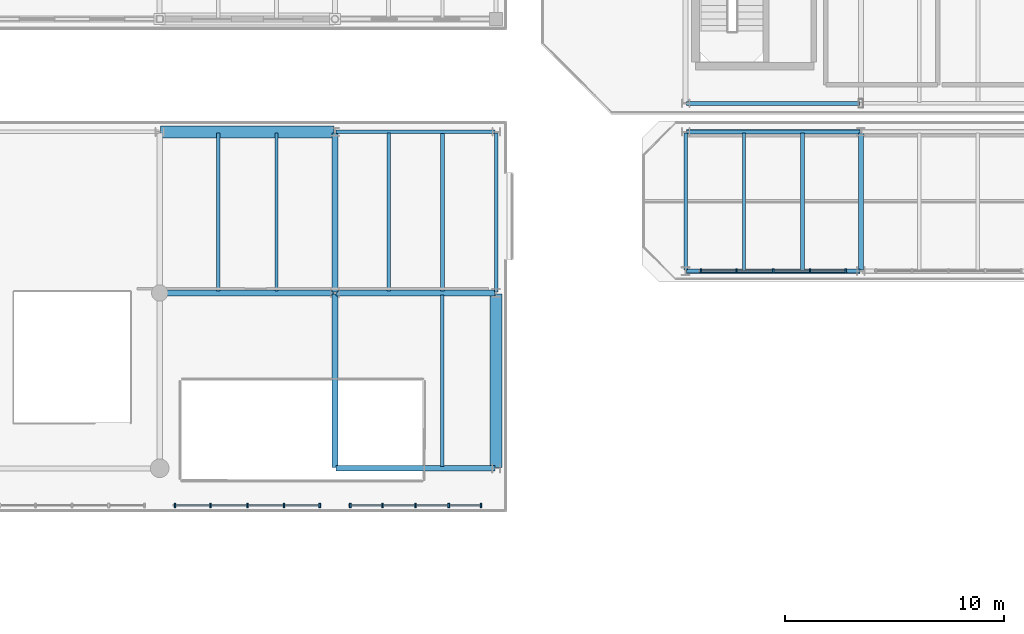
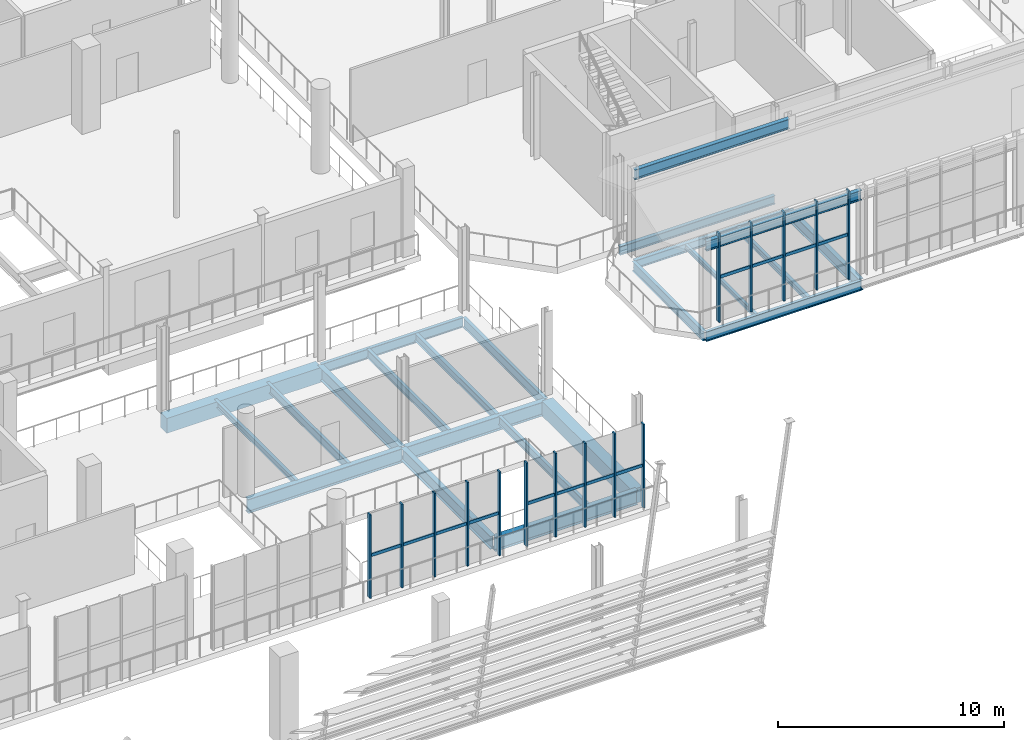
# One storey, part 32 of 93: 27 members, 23 beams, 3 elements without a shape of their own.
"""IFC4 building model written with IfcOpenShell, lengths in metres."""

import ifcopenshell
import ifcopenshell.guid

model = None  # the IFC model being written
_history = None  # IfcOwnerHistory: only IFC2X3 demands one
_inside = {}  # id of a spatial element -> (the spatial element, [elements in it])
_under = {}  # id of a project, library or spatial element -> (it, [spatial elements below it])
_declared = {}  # id of a project -> (the project, [libraries it declares])
_typed = {}  # id of a type object -> (the type object, [elements of that type])
_made_of = {}  # id of a material, layer set ... -> (it, [elements and type objects made of it])


def new_model(schema):
    """Start an empty IFC model of exactly this schema.

    Asked for "IFC4X3", IfcOpenShell would pick the latest addendum, in which some entities
    have other attributes; the version numbers below select the first issue.
    IFC2X3 requires an IfcOwnerHistory on every rooted entity: one is made here for all.
    """
    global model, _history
    if schema == "IFC4X3":
        model = ifcopenshell.file(schema_version=(4, 3, 0, 0))
    else:
        model = ifcopenshell.file(schema=schema)
    _inside.clear()
    _under.clear()
    _declared.clear()
    _typed.clear()
    _made_of.clear()
    _history = None
    if model.schema == "IFC2X3":
        org = make("IfcOrganization", Name="unknown")
        user = make(
            "IfcPersonAndOrganization",
            ThePerson=make("IfcPerson", FamilyName="unknown"),
            TheOrganization=org,
        )
        app = make(
            "IfcApplication",
            ApplicationDeveloper=org,
            Version="unknown",
            ApplicationFullName="unknown",
            ApplicationIdentifier="unknown",
        )
        _history = make(
            "IfcOwnerHistory",
            OwningUser=user,
            OwningApplication=app,
            ChangeAction="ADDED",
            CreationDate=0,
        )
    return model


def make(cls, **values):
    """One entity of the class cls with the attributes given. An attribute that is None is left unset."""
    return model.create_entity(
        cls, **{name: value for name, value in values.items() if value is not None}
    )


def rooted(cls, **values):
    """An entity with a GlobalId (a new one), such as an element, a storey or a relation."""
    return make(cls, GlobalId=ifcopenshell.guid.new(), OwnerHistory=_history, **values)


def si_unit(unit_type, name, prefix=None):
    """IfcSIUnit, for example si_unit("LENGTHUNIT", "METRE", prefix="MILLI")."""
    return make("IfcSIUnit", UnitType=unit_type, Prefix=prefix, Name=name)


def assignment(units):
    """IfcUnitAssignment: the units of a project."""
    return None if units is None else make("IfcUnitAssignment", Units=units)


def point(xyz):
    """IfcCartesianPoint."""
    return None if xyz is None else make("IfcCartesianPoint", Coordinates=xyz)


def direction(xyz):
    """IfcDirection."""
    return None if xyz is None else make("IfcDirection", DirectionRatios=xyz)


def frame(location, z_axis=None, x_axis=None):
    """IfcAxis2Placement3D, a coordinate frame: its origin and axes. An axis left out is left unset."""
    return make(
        "IfcAxis2Placement3D",
        Location=point(location),
        Axis=direction(z_axis),
        RefDirection=direction(x_axis),
    )


def frame_2d(location, x_axis=None):
    """IfcAxis2Placement2D, a coordinate frame in the plane: its origin and x axis."""
    return make(
        "IfcAxis2Placement2D", Location=point(location), RefDirection=direction(x_axis)
    )


def origin():
    """The frame at (0, 0, 0) with its axes left unset."""
    return frame((0.0, 0.0, 0.0))


def origin_2d():
    """The frame at (0, 0) in the plane with its x axis left unset."""
    return frame_2d((0.0, 0.0))


def place(relative_to, where):
    """IfcLocalPlacement: puts the frame where relative to a parent placement (None: the world)."""
    return make(
        "IfcLocalPlacement", PlacementRelTo=relative_to, RelativePlacement=where
    )


def context(
    kind, dimensions, precision=None, world=None, true_north=None, identifier=None
):
    """IfcGeometricRepresentationContext, for example the 3D "Model" context."""
    return make(
        "IfcGeometricRepresentationContext",
        ContextIdentifier=identifier,
        ContextType=kind,
        CoordinateSpaceDimension=dimensions,
        Precision=precision,
        WorldCoordinateSystem=world,
        TrueNorth=true_north,
    )


def subcontext(parent, identifier, kind, view, scale=None):
    """IfcGeometricRepresentationSubContext, for example "Body" below "Model"."""
    return make(
        "IfcGeometricRepresentationSubContext",
        ContextIdentifier=identifier,
        ContextType=kind,
        ParentContext=parent,
        TargetScale=scale,
        TargetView=view,
    )


def project(units=None, contexts=None):
    """IfcProject with its units and contexts."""
    return rooted(
        "IfcProject",
        Name="project",
        RepresentationContexts=contexts,
        UnitsInContext=assignment(units),
    )


def spatial(cls, under=None, at=None, **own):
    """A site, building, storey or space (cls), placed at a placement, below another one or the project."""
    s = rooted(cls, ObjectPlacement=at, **own)
    if under is not None:
        _under.setdefault(under.id(), (under, []))[1].append(s)
    return s


def profile(cls, at=None, kind="AREA", **sizes):
    """A parametric profile (cls). Its sizes go by their IFC names, for example OverallWidth=200.0."""
    return make(cls, ProfileType=kind, Position=at, **sizes)


def rectangle(**sizes):
    """IfcRectangleProfileDef."""
    return profile("IfcRectangleProfileDef", **sizes)


def i_section(**sizes):
    """IfcIShapeProfileDef."""
    return profile("IfcIShapeProfileDef", **sizes)


def extrude(swept, where, along, depth):
    """IfcExtrudedAreaSolid: the profile swept, set in the frame where, extruded along a direction by depth."""
    return make(
        "IfcExtrudedAreaSolid",
        SweptArea=swept,
        Position=where,
        ExtrudedDirection=direction(along),
        Depth=depth,
    )


def shape(context_of_items, identifier, shape_type, items):
    """IfcShapeRepresentation: the items that make up one representation, for example the "Body"."""
    return make(
        "IfcShapeRepresentation",
        ContextOfItems=context_of_items,
        RepresentationIdentifier=identifier,
        RepresentationType=shape_type,
        Items=items,
    )


def material(Name=None, Category=None):
    """IfcMaterial."""
    return make("IfcMaterial", Name=Name, Category=Category)


def material_profile(
    of_material, cross_section, Name=None, Category=None, Priority=None
):
    """IfcMaterialProfile: a cross section and its material."""
    return make(
        "IfcMaterialProfile",
        Name=Name,
        Material=of_material,
        Profile=cross_section,
        Priority=Priority,
        Category=Category,
    )


def profile_set(profiles, Name=None, composite=None):
    """IfcMaterialProfileSet."""
    return make(
        "IfcMaterialProfileSet",
        Name=Name,
        MaterialProfiles=profiles,
        CompositeProfile=composite,
    )


def made_of(thing, what):
    """Note that an element or type object is made of a material, layer set ...; save() writes the relation."""
    if what is not None:
        _made_of.setdefault(what.id(), (what, []))[1].append(thing)
    return thing


def type_object(cls, material=None, **own):
    """A type object (cls), such as IfcWallType, which elements share."""
    return made_of(rooted(cls, **own), material)


def element(
    cls,
    number,
    at=None,
    inside=None,
    cuts=None,
    type_object=None,
    material=None,
    context=None,
    identifier="Body",
    shape_type=None,
    held_by="IfcProductDefinitionShape",
    body=None,
    shapes=None,
    **own,
):
    """One element of the class cls, such as IfcWall. Its Tag is "e" and its number.

    at: its placement. inside: the storey or other place that contains it. cuts: it is an
    opening in that element (IfcRelVoidsElement). A single representation is given by context,
    identifier, shape_type and body (its items); several are given by shapes. held_by: the class
    of the entity that holds the representations. save() writes the other relations.
    """
    e = rooted(cls, Tag="e%d" % number, ObjectPlacement=at, **own)
    if body is not None:
        shapes = [shape(context, identifier, shape_type, body)]
    if shapes is not None:
        e.Representation = make(held_by, Representations=shapes)
    if inside is not None:
        _inside.setdefault(inside.id(), (inside, []))[1].append(e)
    if cuts is not None:
        rooted(
            "IfcRelVoidsElement", RelatingBuildingElement=cuts, RelatedOpeningElement=e
        )
    if type_object is not None:
        _typed.setdefault(type_object.id(), (type_object, []))[1].append(e)
    return made_of(e, material)


def aggregate(whole, parts):
    """IfcRelAggregates: a whole, such as a stair, and the parts it consists of."""
    return rooted("IfcRelAggregates", RelatingObject=whole, RelatedObjects=parts)


def save(model, path):
    """Write the relations noted so far, then the file.

    IfcRelAggregates (storeys below a building ...), IfcRelContainedInSpatialStructure (elements
    in a storey), IfcRelDefinesByType, IfcRelAssociatesMaterial and IfcRelDeclares: one each for
    every whole, place, type object, material and project.
    """
    for whole, parts in _under.values():
        aggregate(whole, parts)
    for where, things in _inside.values():
        rooted(
            "IfcRelContainedInSpatialStructure",
            RelatedElements=things,
            RelatingStructure=where,
        )
    for kind, things in _typed.values():
        rooted("IfcRelDefinesByType", RelatedObjects=things, RelatingType=kind)
    for what, things in _made_of.values():
        rooted("IfcRelAssociatesMaterial", RelatedObjects=things, RelatingMaterial=what)
    for by, libraries in _declared.values():
        rooted("IfcRelDeclares", RelatingContext=by, RelatedDefinitions=libraries)
    model.write(path)


model = new_model("IFC4")

# Units and contexts
model_context = context("Model", 3, precision=1e-05, world=origin(), true_north=direction((0.0, 1.0)))
body_context = subcontext(model_context, "Body", "Model", "MODEL_VIEW")
ifc_project = project(units=[si_unit("LENGTHUNIT", "METRE"), si_unit("AREAUNIT", "SQUARE_METRE"), si_unit("VOLUMEUNIT", "CUBIC_METRE"), si_unit("PLANEANGLEUNIT", "RADIAN"), si_unit("MASSUNIT", "GRAM", prefix="KILO")], contexts=[model_context])

# Site, building, storey
site_placement = place(None, origin())
site = spatial("IfcSite", under=ifc_project, at=site_placement, CompositionType="ELEMENT")
building_placement = place(site_placement, origin())
building = spatial("IfcBuilding", under=site, at=building_placement, Name="Brisemont Oceanarium", CompositionType="ELEMENT")
storey_placement = place(building_placement, frame((0.0, 0.0, 5.39990234375)))
storey = spatial("IfcBuildingStorey", under=building, at=storey_placement, Name="L01", CompositionType="ELEMENT", Elevation=5.39990234375)

# Beams
ifc_material_1 = material(Name="Concrete C40/50", Category="concrete")
ifc_material_profile_1 = material_profile(ifc_material_1, rectangle(XDim=0.550048828125, YDim=0.800048828125, at=origin_2d()), Name="RC-BM-550X800")
ifc_profile_set_1 = profile_set([ifc_material_profile_1], Name="Concrete C40/50")
beam_type_1 = type_object("IfcBeamType", Name="BM-RC550X800", PredefinedType="SPANDREL", material=ifc_profile_set_1)
for number, where, z_axis, x_axis, name in (
    (1, (40.0400390625, 31.35009765625, -0.699951171875), (1.0, 0.0, 0.0), (0.0, 1.0, 0.0), "V2 L01 EW girder"),
    (2, (55.35009765625, 16.0400390625, -0.699951171875), (0.0, 1.0, 0.0), (-1.0, 0.0, 0.0), "V2 L01 NS girder"),
):
    element("IfcBeam", number, at=place(storey_placement, frame(where, z_axis=z_axis, x_axis=x_axis)), inside=storey, type_object=beam_type_1, Name=name, PredefinedType="SPANDREL", context=body_context, shape_type="SweptSolid", body=[
        extrude(rectangle(XDim=0.550048828125, YDim=0.800048828125, at=origin_2d()), origin(), (0.0, 0.0, 1.0), 7.919921875),
    ])
ifc_material_2 = material(Name="Structural Steel ASTM A992 Gr.50", Category="steel")
ifc_material_profile_2 = material_profile(ifc_material_2, i_section(OverallWidth=0.14599609375, OverallDepth=0.259033203125, WebThickness=0.006103515625, FlangeThickness=0.009033203125, FilletRadius=0.008056640625, at=origin_2d()), Name="W10X22")
ifc_profile_set_2 = profile_set([ifc_material_profile_2], Name="Structural Steel ASTM A992 Gr.50")
beam_type_2 = type_object("IfcBeamType", Name="BM-W10X22", PredefinedType="LINTEL", material=ifc_profile_set_2)
beam_1_placement = place(storey_placement, frame((66.666748046875, 25.0400390625, -0.429443359375), z_axis=(0.0, 1.0, 0.0), x_axis=(-1.0, 0.0, 0.0)))
element("IfcBeam", 3, at=beam_1_placement, inside=storey, type_object=beam_type_2, Name="V1P L01 secondary floor beam", PredefinedType="LINTEL", context=body_context, shape_type="SweptSolid", body=[
    extrude(i_section(OverallWidth=0.14599609375, OverallDepth=0.259033203125, WebThickness=0.006103515625, FlangeThickness=0.009033203125, FilletRadius=0.008056640625, at=origin_2d()), origin(), (0.0, 0.0, 1.0), 6.27001953125),
])
ifc_material_3 = material(Name="Structural Steel ASTM A992 Gr.50", Category="steel")
ifc_material_profile_3 = material_profile(ifc_material_3, i_section(OverallWidth=0.1650390625, OverallDepth=0.31005859375, WebThickness=0.005859375, FlangeThickness=0.009765625, FilletRadius=0.008056640625, at=origin_2d()), Name="W12X26")
ifc_profile_set_3 = profile_set([ifc_material_profile_3], Name="Structural Steel ASTM A992 Gr.50")
beam_type_3 = type_object("IfcBeamType", Name="BM-W12X26", PredefinedType="JOIST", material=ifc_profile_set_3)
beam_2_placement = place(storey_placement, frame((69.333251953125, 25.0400390625, -0.454833984375), z_axis=(0.0, 1.0, 0.0), x_axis=(-1.0, 0.0, 0.0)))
element("IfcBeam", 4, at=beam_2_placement, inside=storey, type_object=beam_type_3, Name="V1P L01 secondary floor beam", PredefinedType="JOIST", context=body_context, shape_type="SweptSolid", body=[
    extrude(i_section(OverallWidth=0.1650390625, OverallDepth=0.31005859375, WebThickness=0.005859375, FlangeThickness=0.009765625, FilletRadius=0.008056640625, at=origin_2d()), origin(), (0.0, 0.0, 1.0), 6.27001953125),
])
beam_3_placement = place(storey_placement, frame((42.666748046875, 24.090087890625, -0.454833984375), z_axis=(0.0, 1.0, 0.0), x_axis=(-1.0, 0.0, 0.0)))
element("IfcBeam", 5, at=beam_3_placement, inside=storey, type_object=beam_type_3, Name="V2 L01 secondary floor beam", PredefinedType="JOIST", context=body_context, shape_type="SweptSolid", body=[
    extrude(i_section(OverallWidth=0.1650390625, OverallDepth=0.31005859375, WebThickness=0.005859375, FlangeThickness=0.009765625, FilletRadius=0.008056640625, at=origin_2d()), origin(), (0.0, 0.0, 1.0), 7.219970703125),
])
ifc_material_4 = material(Name="Structural Steel ASTM A992 Gr.50", Category="steel")
ifc_material_profile_4 = material_profile(ifc_material_4, i_section(OverallWidth=0.177978515625, OverallDepth=0.404052734375, WebThickness=0.007568359375, FlangeThickness=0.010986328125, FilletRadius=0.010009765625, at=origin_2d()), Name="W16X36")
ifc_profile_set_4 = profile_set([ifc_material_profile_4], Name="Structural Steel ASTM A992 Gr.50")
beam_type_4 = type_object("IfcBeamType", Name="BM-W16X36", PredefinedType="JOIST", material=ifc_profile_set_4)
beam_4_placement = place(storey_placement, frame((52.89990234375, 24.090087890625, -0.501953125), z_axis=(0.0, 1.0, 0.0), x_axis=(-1.0, 0.0, 0.0)))
element("IfcBeam", 6, at=beam_4_placement, inside=storey, type_object=beam_type_4, Name="V2 L01 secondary floor beam", PredefinedType="JOIST", context=body_context, shape_type="SweptSolid", body=[
    extrude(i_section(OverallWidth=0.177978515625, OverallDepth=0.404052734375, WebThickness=0.007568359375, FlangeThickness=0.010986328125, FilletRadius=0.010009765625, at=origin_2d()), origin(), (0.0, 0.0, 1.0), 7.219970703125),
])
ifc_material_5 = material(Name="Structural Steel ASTM A992 Gr.50", Category="steel")
ifc_material_profile_5 = material_profile(ifc_material_5, i_section(OverallWidth=0.153076171875, OverallDepth=0.455078125, WebThickness=0.008056640625, FlangeThickness=0.01318359375, FilletRadius=0.010986328125, at=origin_2d()), Name="W18X40")
ifc_profile_set_5 = profile_set([ifc_material_profile_5], Name="Structural Steel ASTM A992 Gr.50")
beam_type_5 = type_object("IfcBeamType", Name="BM-W18X40", PredefinedType="JOIST", material=ifc_profile_set_5)
beam_5_placement = place(storey_placement, frame((45.333251953125, 24.090087890625, -0.52734375), z_axis=(0.0, 1.0, 0.0), x_axis=(-1.0, 0.0, 0.0)))
element("IfcBeam", 7, at=beam_5_placement, inside=storey, type_object=beam_type_5, Name="V2 L01 secondary floor beam", PredefinedType="JOIST", context=body_context, shape_type="SweptSolid", body=[
    extrude(i_section(OverallWidth=0.153076171875, OverallDepth=0.455078125, WebThickness=0.008056640625, FlangeThickness=0.01318359375, FilletRadius=0.010986328125, at=origin_2d()), origin(), (0.0, 0.0, 1.0), 7.219970703125),
])
beam_6_placement = place(storey_placement, frame((52.89990234375, 16.090087890625, -0.52734375), z_axis=(0.0, 1.0, 0.0), x_axis=(-1.0, 0.0, 0.0)))
element("IfcBeam", 8, at=beam_6_placement, inside=storey, type_object=beam_type_5, Name="V2 L01 secondary floor beam", PredefinedType="JOIST", context=body_context, shape_type="SweptSolid", body=[
    extrude(i_section(OverallWidth=0.153076171875, OverallDepth=0.455078125, WebThickness=0.008056640625, FlangeThickness=0.01318359375, FilletRadius=0.010986328125, at=origin_2d()), origin(), (0.0, 0.0, 1.0), 7.81982421875),
])
beam_7_placement = place(storey_placement, frame((50.449951171875, 24.090087890625, -0.52734375), z_axis=(0.0, 1.0, 0.0), x_axis=(-1.0, 0.0, 0.0)))
element("IfcBeam", 9, at=beam_7_placement, inside=storey, type_object=beam_type_5, Name="V2 L01 secondary floor beam", PredefinedType="JOIST", context=body_context, shape_type="SweptSolid", body=[
    extrude(i_section(OverallWidth=0.153076171875, OverallDepth=0.455078125, WebThickness=0.008056640625, FlangeThickness=0.01318359375, FilletRadius=0.010986328125, at=origin_2d()), origin(), (0.0, 0.0, 1.0), 7.219970703125),
])
ifc_material_6 = material(Name="Structural Steel ASTM A992 Gr.50", Category="steel")
ifc_material_profile_6 = material_profile(ifc_material_6, i_section(OverallWidth=0.19091796875, OverallDepth=0.4599609375, WebThickness=0.010009765625, FlangeThickness=0.01611328125, FilletRadius=0.010986328125, at=origin_2d()), Name="W18X55")
ifc_profile_set_6 = profile_set([ifc_material_profile_6], Name="Structural Steel ASTM A992 Gr.50")
beam_type_6 = type_object("IfcBeamType", Name="BM-W18X55", PredefinedType="SPANDREL", material=ifc_profile_set_6)
for number, where, z_axis, x_axis, name in (
    (10, (64.0400390625, 32.64990234375, -0.56982421875), (1.0, 0.0, 0.0), (0.0, 1.0, 0.0), "V1 L01 EW girder"),
    (11, (64.0400390625, 31.35009765625, -0.52978515625), (1.0, 0.0, 0.0), (0.0, 1.0, 0.0), "V1P L01 EW girder"),
):
    element("IfcBeam", number, at=place(storey_placement, frame(where, z_axis=z_axis, x_axis=x_axis)), inside=storey, type_object=beam_type_6, Name=name, PredefinedType="SPANDREL", context=body_context, shape_type="SweptSolid", body=[
        extrude(i_section(OverallWidth=0.19091796875, OverallDepth=0.4599609375, WebThickness=0.010009765625, FlangeThickness=0.01611328125, FilletRadius=0.010986328125, at=origin_2d()), origin(), (0.0, 0.0, 1.0), 7.919921875),
    ])
ifc_material_7 = material(Name="Structural Steel ASTM A992 Gr.50", Category="steel")
ifc_material_profile_7 = material_profile(ifc_material_7, i_section(OverallWidth=0.166015625, OverallDepth=0.528076171875, WebThickness=0.009765625, FlangeThickness=0.013671875, FilletRadius=0.012939453125, at=origin_2d()), Name="W21X50")
ifc_profile_set_7 = profile_set([ifc_material_profile_7], Name="Structural Steel ASTM A992 Gr.50")
beam_type_7 = type_object("IfcBeamType", Name="BM-W21X50", PredefinedType="SPANDREL", material=ifc_profile_set_7)
beam_8_placement = place(storey_placement, frame((64.0400390625, 25.0, -0.56396484375), z_axis=(1.0, 0.0, 0.0), x_axis=(0.0, 1.0, 0.0)))
element("IfcBeam", 12, at=beam_8_placement, inside=storey, type_object=beam_type_7, Name="V1P L01 EW girder", PredefinedType="SPANDREL", context=body_context, shape_type="SweptSolid", body=[
    extrude(i_section(OverallWidth=0.166015625, OverallDepth=0.528076171875, WebThickness=0.009765625, FlangeThickness=0.013671875, FilletRadius=0.012939453125, at=origin_2d()), origin(), (0.0, 0.0, 1.0), 7.919921875),
])
beam_9_placement = place(storey_placement, frame((64.0, 25.0400390625, -0.56396484375), z_axis=(0.0, 1.0, 0.0), x_axis=(-1.0, 0.0, 0.0)))
element("IfcBeam", 13, at=beam_9_placement, inside=storey, type_object=beam_type_7, Name="V1P L01 NS girder", PredefinedType="SPANDREL", context=body_context, shape_type="SweptSolid", body=[
    extrude(i_section(OverallWidth=0.166015625, OverallDepth=0.528076171875, WebThickness=0.009765625, FlangeThickness=0.013671875, FilletRadius=0.012939453125, at=origin_2d()), origin(), (0.0, 0.0, 1.0), 6.27001953125),
])
for number, where, z_axis, x_axis, name in (
    (14, (48.0400390625, 31.35009765625, -0.56396484375), (1.0, 0.0, 0.0), (0.0, 1.0, 0.0), "V2 L01 EW girder"),
    (15, (55.35009765625, 24.0400390625, -0.56396484375), (0.0, 1.0, 0.0), (-1.0, 0.0, 0.0), "V2 L01 NS girder"),
):
    element("IfcBeam", number, at=place(storey_placement, frame(where, z_axis=z_axis, x_axis=x_axis)), inside=storey, type_object=beam_type_7, Name=name, PredefinedType="SPANDREL", context=body_context, shape_type="SweptSolid", body=[
        extrude(i_section(OverallWidth=0.166015625, OverallDepth=0.528076171875, WebThickness=0.009765625, FlangeThickness=0.013671875, FilletRadius=0.012939453125, at=origin_2d()), origin(), (0.0, 0.0, 1.0), 7.27001953125),
    ])
ifc_material_8 = material(Name="Structural Steel ASTM A992 Gr.50", Category="steel")
ifc_material_profile_8 = material_profile(ifc_material_8, i_section(OverallWidth=0.2099609375, OverallDepth=0.532958984375, WebThickness=0.01025390625, FlangeThickness=0.015625, FilletRadius=0.012939453125, at=origin_2d()), Name="W21X62")
ifc_profile_set_8 = profile_set([ifc_material_profile_8], Name="Structural Steel ASTM A992 Gr.50")
beam_type_8 = type_object("IfcBeamType", Name="BM-W21X62", PredefinedType="BEAM", material=ifc_profile_set_8)
for number, where, z_axis, x_axis, name in (
    (16, (64.0400390625, 25.0, 4.33349609375), (1.0, 0.0, 0.0), (0.0, 1.0, 0.0), "V1P roof eave girder"),
    (17, (64.0400390625, 31.35009765625, 4.33349609375), (1.0, 0.0, 0.0), (0.0, 1.0, 0.0), "V1P roof eave girder"),
):
    element("IfcBeam", number, at=place(storey_placement, frame(where, z_axis=z_axis, x_axis=x_axis)), inside=storey, type_object=beam_type_8, Name=name, PredefinedType="BEAM", context=body_context, shape_type="SweptSolid", body=[
        extrude(i_section(OverallWidth=0.2099609375, OverallDepth=0.532958984375, WebThickness=0.01025390625, FlangeThickness=0.015625, FilletRadius=0.012939453125, at=origin_2d()), origin(), (0.0, 0.0, 1.0), 7.919921875),
    ])
ifc_material_9 = material(Name="Structural Steel ASTM A992 Gr.50", Category="steel")
ifc_material_profile_9 = material_profile(ifc_material_9, i_section(OverallWidth=0.22802734375, OverallDepth=0.60791015625, WebThickness=0.01123046875, FlangeThickness=0.017333984375, FilletRadius=0.012939453125, at=origin_2d()), Name="W24X76")
ifc_profile_set_9 = profile_set([ifc_material_profile_9], Name="Structural Steel ASTM A992 Gr.50")
beam_type_9 = type_object("IfcBeamType", Name="BM-W24X76", PredefinedType="BEAM", material=ifc_profile_set_9)
beam_10_placement = place(storey_placement, frame((72.0, 25.0400390625, -0.60400390625), z_axis=(0.0, 1.0, 0.0), x_axis=(-1.0, 0.0, 0.0)))
element("IfcBeam", 18, at=beam_10_placement, inside=storey, type_object=beam_type_9, Name="V1P L01 NS girder", PredefinedType="BEAM", context=body_context, shape_type="SweptSolid", body=[
    extrude(i_section(OverallWidth=0.22802734375, OverallDepth=0.60791015625, WebThickness=0.01123046875, FlangeThickness=0.017333984375, FilletRadius=0.012939453125, at=origin_2d()), origin(), (0.0, 0.0, 1.0), 6.27001953125),
])
ifc_material_10 = material(Name="Structural Steel ASTM A992 Gr.50", Category="steel")
ifc_material_profile_10 = material_profile(ifc_material_10, i_section(OverallWidth=0.2529296875, OverallDepth=0.677978515625, WebThickness=0.01171875, FlangeThickness=0.016357421875, FilletRadius=0.014892578125, at=origin_2d()), Name="W27X84")
ifc_profile_set_10 = profile_set([ifc_material_profile_10], Name="Structural Steel ASTM A992 Gr.50")
beam_type_10 = type_object("IfcBeamType", Name="BM-W27X84", PredefinedType="BEAM", material=ifc_profile_set_10)
beam_11_placement = place(storey_placement, frame((48.0, 24.0400390625, -0.638916015625), z_axis=(0.0, 1.0, 0.0), x_axis=(-1.0, 0.0, 0.0)))
element("IfcBeam", 19, at=beam_11_placement, inside=storey, type_object=beam_type_10, Name="V2 L01 NS girder", PredefinedType="BEAM", context=body_context, shape_type="SweptSolid", body=[
    extrude(i_section(OverallWidth=0.2529296875, OverallDepth=0.677978515625, WebThickness=0.01171875, FlangeThickness=0.016357421875, FilletRadius=0.014892578125, at=origin_2d()), origin(), (0.0, 0.0, 1.0), 7.27001953125),
])
ifc_material_11 = material(Name="Structural Steel ASTM A992 Gr.50", Category="steel")
ifc_material_profile_11 = material_profile(ifc_material_11, i_section(OverallWidth=0.25390625, OverallDepth=0.68310546875, WebThickness=0.012451171875, FlangeThickness=0.018798828125, FilletRadius=0.014892578125, at=origin_2d()), Name="W27X94")
ifc_profile_set_11 = profile_set([ifc_material_profile_11], Name="Structural Steel ASTM A992 Gr.50")
beam_type_11 = type_object("IfcBeamType", Name="BM-W27X94", PredefinedType="BEAM", material=ifc_profile_set_11)
beam_12_placement = place(storey_placement, frame((48.0, 16.0400390625, -0.641357421875), z_axis=(0.0, 1.0, 0.0), x_axis=(-1.0, 0.0, 0.0)))
element("IfcBeam", 20, at=beam_12_placement, inside=storey, type_object=beam_type_11, Name="V2 L01 NS girder", PredefinedType="BEAM", context=body_context, shape_type="SweptSolid", body=[
    extrude(i_section(OverallWidth=0.25390625, OverallDepth=0.68310546875, WebThickness=0.012451171875, FlangeThickness=0.018798828125, FilletRadius=0.014892578125, at=origin_2d()), origin(), (0.0, 0.0, 1.0), 7.919921875),
])
ifc_material_12 = material(Name="Structural Steel ASTM A992 Gr.50", Category="steel")
ifc_material_profile_12 = material_profile(ifc_material_12, i_section(OverallWidth=0.26708984375, OverallDepth=0.761962890625, WebThickness=0.014404296875, FlangeThickness=0.021484375, FilletRadius=0.01611328125, at=origin_2d()), Name="W30X116")
ifc_profile_set_12 = profile_set([ifc_material_profile_12], Name="Structural Steel ASTM A992 Gr.50")
beam_type_12 = type_object("IfcBeamType", Name="BM-W30X116", PredefinedType="BEAM", material=ifc_profile_set_12)
beam_13_placement = place(storey_placement, frame((48.0400390625, 16.0, -0.680908203125), z_axis=(1.0, 0.0, 0.0), x_axis=(0.0, 1.0, 0.0)))
element("IfcBeam", 21, at=beam_13_placement, inside=storey, type_object=beam_type_12, Name="V2 L01 EW girder", PredefinedType="BEAM", context=body_context, shape_type="SweptSolid", body=[
    extrude(i_section(OverallWidth=0.26708984375, OverallDepth=0.761962890625, WebThickness=0.014404296875, FlangeThickness=0.021484375, FilletRadius=0.01611328125, at=origin_2d()), origin(), (0.0, 0.0, 1.0), 7.27001953125),
])
beam_14_placement = place(storey_placement, frame((40.0400390625, 24.0, -0.680908203125), z_axis=(1.0, 0.0, 0.0), x_axis=(0.0, 1.0, 0.0)))
element("IfcBeam", 22, at=beam_14_placement, inside=storey, type_object=beam_type_12, Name="V2 L01 EW girder", PredefinedType="BEAM", context=body_context, shape_type="SweptSolid", body=[
    extrude(i_section(OverallWidth=0.26708984375, OverallDepth=0.761962890625, WebThickness=0.014404296875, FlangeThickness=0.021484375, FilletRadius=0.01611328125, at=origin_2d()), origin(), (0.0, 0.0, 1.0), 7.919921875),
])
ifc_material_13 = material(Name="Structural Steel ASTM A992 Gr.50", Category="steel")
ifc_material_profile_13 = material_profile(ifc_material_13, i_section(OverallWidth=0.264892578125, OverallDepth=0.7529296875, WebThickness=0.01318359375, FlangeThickness=0.01708984375, FilletRadius=0.01611328125, at=origin_2d()), Name="W30X99")
ifc_profile_set_13 = profile_set([ifc_material_profile_13], Name="Structural Steel ASTM A992 Gr.50")
beam_type_13 = type_object("IfcBeamType", Name="BM-W30X99", PredefinedType="BEAM", material=ifc_profile_set_13)
beam_15_placement = place(storey_placement, frame((48.0400390625, 24.0, -0.676513671875), z_axis=(1.0, 0.0, 0.0), x_axis=(0.0, 1.0, 0.0)))
element("IfcBeam", 23, at=beam_15_placement, inside=storey, type_object=beam_type_13, Name="V2 L01 EW girder", PredefinedType="BEAM", context=body_context, shape_type="SweptSolid", body=[
    extrude(i_section(OverallWidth=0.264892578125, OverallDepth=0.7529296875, WebThickness=0.01318359375, FlangeThickness=0.01708984375, FilletRadius=0.01611328125, at=origin_2d()), origin(), (0.0, 0.0, 1.0), 7.27001953125),
])

# Curtain wall, members
ifc_material_14 = material(Name="Anodized Extruded Aluminum 6063-T6", Category="aluminium")
curtain_wall_type_1 = type_object("IfcCurtainWallType", Name="CW-ROT-69X44", PredefinedType="NOTDEFINED", material=ifc_material_14)
curtain_wall_1_placement = place(storey_placement, origin())
curtain_wall_1 = element("IfcCurtainWall", 24, at=curtain_wall_1_placement, inside=storey, type_object=curtain_wall_type_1, Name="CW-03 curtain wall CW-V1P-S-L01-01", PredefinedType="NOTDEFINED")
ifc_material_15 = material(Name="Anodized Extruded Aluminum 6063-T6", Category="aluminium")
ifc_material_profile_14 = material_profile(ifc_material_15, rectangle(XDim=0.074951171875, YDim=0.219970703125, at=origin_2d()), Name="CWM-75X220")
ifc_profile_set_14 = profile_set([ifc_material_profile_14], Name="Anodized Extruded Aluminum 6063-T6")
member_type_1 = type_object("IfcMemberType", Name="MEM-CWM-75", PredefinedType="MULLION", material=ifc_profile_set_14)
member_1_placement = place(storey_placement, frame((64.695068359375, 25.0, 0.0), z_axis=(0.0, 0.0, 1.0), x_axis=(1.0, 0.0, 0.0)))
member_1 = element("IfcMember", 25, at=member_1_placement, type_object=member_type_1, Name="CW-V1P-S-L01-01 mullion 1", PredefinedType="MULLION", context=body_context, shape_type="SweptSolid", body=[
    extrude(rectangle(XDim=0.074951171875, YDim=0.219970703125, at=origin_2d()), origin(), (0.0, 0.0, 1.0), 4.800048828125),
])
member_2_placement = place(storey_placement, frame((66.324951171875, 25.0, 0.0), z_axis=(0.0, 0.0, 1.0), x_axis=(1.0, 0.0, 0.0)))
member_2 = element("IfcMember", 26, at=member_2_placement, type_object=member_type_1, Name="CW-V1P-S-L01-01 mullion 2", PredefinedType="MULLION", context=body_context, shape_type="SweptSolid", body=[
    extrude(rectangle(XDim=0.074951171875, YDim=0.219970703125, at=origin_2d()), origin(), (0.0, 0.0, 1.0), 4.800048828125),
])
member_3_placement = place(storey_placement, frame((68.0, 25.0, 0.0), z_axis=(0.0, 0.0, 1.0), x_axis=(1.0, 0.0, 0.0)))
member_3 = element("IfcMember", 27, at=member_3_placement, type_object=member_type_1, Name="CW-V1P-S-L01-01 mullion 3", PredefinedType="MULLION", context=body_context, shape_type="SweptSolid", body=[
    extrude(rectangle(XDim=0.074951171875, YDim=0.219970703125, at=origin_2d()), origin(), (0.0, 0.0, 1.0), 4.800048828125),
])
member_4_placement = place(storey_placement, frame((69.675048828125, 25.0, 0.0), z_axis=(0.0, 0.0, 1.0), x_axis=(1.0, 0.0, 0.0)))
member_4 = element("IfcMember", 28, at=member_4_placement, type_object=member_type_1, Name="CW-V1P-S-L01-01 mullion 4", PredefinedType="MULLION", context=body_context, shape_type="SweptSolid", body=[
    extrude(rectangle(XDim=0.074951171875, YDim=0.219970703125, at=origin_2d()), origin(), (0.0, 0.0, 1.0), 4.800048828125),
])
member_5_placement = place(storey_placement, frame((71.304931640625, 25.0, 0.0), z_axis=(0.0, 0.0, 1.0), x_axis=(1.0, 0.0, 0.0)))
member_5 = element("IfcMember", 29, at=member_5_placement, type_object=member_type_1, Name="CW-V1P-S-L01-01 mullion 5", PredefinedType="MULLION", context=body_context, shape_type="SweptSolid", body=[
    extrude(rectangle(XDim=0.074951171875, YDim=0.219970703125, at=origin_2d()), origin(), (0.0, 0.0, 1.0), 4.800048828125),
])

ifc_material_16 = material(Name="Anodized Extruded Aluminum 6063-T6", Category="aluminium")
curtain_wall_type_2 = type_object("IfcCurtainWallType", Name="CW-HALL-63X50", PredefinedType="NOTDEFINED", material=ifc_material_16)
curtain_wall_2_placement = place(storey_placement, origin())
curtain_wall_2 = element("IfcCurtainWall", 30, at=curtain_wall_2_placement, inside=storey, type_object=curtain_wall_type_2, Name="CW-05 curtain wall CW-V2-S-L01-05", PredefinedType="NOTDEFINED")
member_6_placement = place(storey_placement, frame((40.695068359375, 14.300048828125, 0.0), z_axis=(0.0, 0.0, 1.0), x_axis=(1.0, 0.0, 0.0)))
member_6 = element("IfcMember", 31, at=member_6_placement, type_object=member_type_1, Name="CW-V2-S-L01-05 mullion 1", PredefinedType="MULLION", context=body_context, shape_type="SweptSolid", body=[
    extrude(rectangle(XDim=0.074951171875, YDim=0.219970703125, at=origin_2d()), origin(), (0.0, 0.0, 1.0), 4.52001953125),
])
member_7_placement = place(storey_placement, frame((42.324951171875, 14.300048828125, 0.0), z_axis=(0.0, 0.0, 1.0), x_axis=(1.0, 0.0, 0.0)))
member_7 = element("IfcMember", 32, at=member_7_placement, type_object=member_type_1, Name="CW-V2-S-L01-05 mullion 2", PredefinedType="MULLION", context=body_context, shape_type="SweptSolid", body=[
    extrude(rectangle(XDim=0.074951171875, YDim=0.219970703125, at=origin_2d()), origin(), (0.0, 0.0, 1.0), 4.52001953125),
])
member_8_placement = place(storey_placement, frame((44.0, 14.300048828125, 0.0), z_axis=(0.0, 0.0, 1.0), x_axis=(1.0, 0.0, 0.0)))
member_8 = element("IfcMember", 33, at=member_8_placement, type_object=member_type_1, Name="CW-V2-S-L01-05 mullion 3", PredefinedType="MULLION", context=body_context, shape_type="SweptSolid", body=[
    extrude(rectangle(XDim=0.074951171875, YDim=0.219970703125, at=origin_2d()), origin(), (0.0, 0.0, 1.0), 4.52001953125),
])
member_9_placement = place(storey_placement, frame((45.675048828125, 14.300048828125, 0.0), z_axis=(0.0, 0.0, 1.0), x_axis=(1.0, 0.0, 0.0)))
member_9 = element("IfcMember", 34, at=member_9_placement, type_object=member_type_1, Name="CW-V2-S-L01-05 mullion 4", PredefinedType="MULLION", context=body_context, shape_type="SweptSolid", body=[
    extrude(rectangle(XDim=0.074951171875, YDim=0.219970703125, at=origin_2d()), origin(), (0.0, 0.0, 1.0), 4.52001953125),
])
member_10_placement = place(storey_placement, frame((47.304931640625, 14.300048828125, 0.0), z_axis=(0.0, 0.0, 1.0), x_axis=(1.0, 0.0, 0.0)))
member_10 = element("IfcMember", 35, at=member_10_placement, type_object=member_type_1, Name="CW-V2-S-L01-05 mullion 5", PredefinedType="MULLION", context=body_context, shape_type="SweptSolid", body=[
    extrude(rectangle(XDim=0.074951171875, YDim=0.219970703125, at=origin_2d()), origin(), (0.0, 0.0, 1.0), 4.52001953125),
])

curtain_wall_3_placement = place(storey_placement, origin())
curtain_wall_3 = element("IfcCurtainWall", 36, at=curtain_wall_3_placement, inside=storey, type_object=curtain_wall_type_2, Name="CW-05 curtain wall CW-V2-S-L01-06", PredefinedType="NOTDEFINED")
member_11_placement = place(storey_placement, frame((48.695068359375, 14.300048828125, 0.0), z_axis=(0.0, 0.0, 1.0), x_axis=(1.0, 0.0, 0.0)))
member_11 = element("IfcMember", 37, at=member_11_placement, type_object=member_type_1, Name="CW-V2-S-L01-06 mullion 1", PredefinedType="MULLION", context=body_context, shape_type="SweptSolid", body=[
    extrude(rectangle(XDim=0.074951171875, YDim=0.219970703125, at=origin_2d()), origin(), (0.0, 0.0, 1.0), 4.52001953125),
])
member_12_placement = place(storey_placement, frame((50.16259765625, 14.300048828125, 0.0), z_axis=(0.0, 0.0, 1.0), x_axis=(1.0, 0.0, 0.0)))
member_12 = element("IfcMember", 38, at=member_12_placement, type_object=member_type_1, Name="CW-V2-S-L01-06 mullion 2", PredefinedType="MULLION", context=body_context, shape_type="SweptSolid", body=[
    extrude(rectangle(XDim=0.074951171875, YDim=0.219970703125, at=origin_2d()), origin(), (0.0, 0.0, 1.0), 4.52001953125),
])
member_13_placement = place(storey_placement, frame((51.675048828125, 14.300048828125, 0.0), z_axis=(0.0, 0.0, 1.0), x_axis=(1.0, 0.0, 0.0)))
member_13 = element("IfcMember", 39, at=member_13_placement, type_object=member_type_1, Name="CW-V2-S-L01-06 mullion 3", PredefinedType="MULLION", context=body_context, shape_type="SweptSolid", body=[
    extrude(rectangle(XDim=0.074951171875, YDim=0.219970703125, at=origin_2d()), origin(), (0.0, 0.0, 1.0), 4.52001953125),
])
member_14_placement = place(storey_placement, frame((53.1875, 14.300048828125, 0.0), z_axis=(0.0, 0.0, 1.0), x_axis=(1.0, 0.0, 0.0)))
member_14 = element("IfcMember", 40, at=member_14_placement, type_object=member_type_1, Name="CW-V2-S-L01-06 mullion 4", PredefinedType="MULLION", context=body_context, shape_type="SweptSolid", body=[
    extrude(rectangle(XDim=0.074951171875, YDim=0.219970703125, at=origin_2d()), origin(), (0.0, 0.0, 1.0), 4.52001953125),
])
member_15_placement = place(storey_placement, frame((54.655029296875, 14.300048828125, 0.0), z_axis=(0.0, 0.0, 1.0), x_axis=(1.0, 0.0, 0.0)))
member_15 = element("IfcMember", 41, at=member_15_placement, type_object=member_type_1, Name="CW-V2-S-L01-06 mullion 5", PredefinedType="MULLION", context=body_context, shape_type="SweptSolid", body=[
    extrude(rectangle(XDim=0.074951171875, YDim=0.219970703125, at=origin_2d()), origin(), (0.0, 0.0, 1.0), 4.52001953125),
])

# Member
ifc_material_17 = material(Name="Anodized Extruded Aluminum 6063-T6", Category="aluminium")
ifc_material_profile_15 = material_profile(ifc_material_17, rectangle(XDim=0.074951171875, YDim=0.1650390625, at=origin_2d()), Name="CWT-75X165")
ifc_profile_set_15 = profile_set([ifc_material_profile_15], Name="Anodized Extruded Aluminum 6063-T6")
member_type_2 = type_object("IfcMemberType", Name="MEM-CWT-75", PredefinedType="USERDEFINED", material=ifc_profile_set_15)
member_16_placement = place(storey_placement, frame((64.6650390625, 25.0, 2.400146484375), z_axis=(1.0, 0.0, 0.0), x_axis=(0.0, 1.0, 0.0)))
member_16 = element("IfcMember", 42, at=member_16_placement, type_object=member_type_2, Name="CW-V1P-S-L01-01 transom 1.1", ObjectType="TRANSOM", PredefinedType="USERDEFINED", context=body_context, shape_type="SweptSolid", body=[
    extrude(rectangle(XDim=0.074951171875, YDim=0.1650390625, at=origin_2d()), origin(), (0.0, 0.0, 1.0), 1.64501953125),
])

member_17_placement = place(storey_placement, frame((66.340087890625, 25.0, 2.400146484375), z_axis=(1.0, 0.0, 0.0), x_axis=(0.0, 1.0, 0.0)))
member_17 = element("IfcMember", 43, at=member_17_placement, type_object=member_type_2, Name="CW-V1P-S-L01-01 transom 2.1", ObjectType="TRANSOM", PredefinedType="USERDEFINED", context=body_context, shape_type="SweptSolid", body=[
    extrude(rectangle(XDim=0.074951171875, YDim=0.1650390625, at=origin_2d()), origin(), (0.0, 0.0, 1.0), 1.64501953125),
])

member_18_placement = place(storey_placement, frame((68.014892578125, 25.0, 2.400146484375), z_axis=(1.0, 0.0, 0.0), x_axis=(0.0, 1.0, 0.0)))
member_18 = element("IfcMember", 44, at=member_18_placement, type_object=member_type_2, Name="CW-V1P-S-L01-01 transom 3.1", ObjectType="TRANSOM", PredefinedType="USERDEFINED", context=body_context, shape_type="SweptSolid", body=[
    extrude(rectangle(XDim=0.074951171875, YDim=0.1650390625, at=origin_2d()), origin(), (0.0, 0.0, 1.0), 1.64501953125),
])

member_19_placement = place(storey_placement, frame((69.68994140625, 25.0, 2.400146484375), z_axis=(1.0, 0.0, 0.0), x_axis=(0.0, 1.0, 0.0)))
member_19 = element("IfcMember", 45, at=member_19_placement, type_object=member_type_2, Name="CW-V1P-S-L01-01 transom 4.1", ObjectType="TRANSOM", PredefinedType="USERDEFINED", context=body_context, shape_type="SweptSolid", body=[
    extrude(rectangle(XDim=0.074951171875, YDim=0.1650390625, at=origin_2d()), origin(), (0.0, 0.0, 1.0), 1.64501953125),
])

aggregate(curtain_wall_1, [member_1, member_2, member_3, member_4, member_5, member_16, member_17, member_18, member_19])

member_20_placement = place(storey_placement, frame((40.6650390625, 14.300048828125, 2.260009765625), z_axis=(1.0, 0.0, 0.0), x_axis=(0.0, 1.0, 0.0)))
member_20 = element("IfcMember", 46, at=member_20_placement, type_object=member_type_2, Name="CW-V2-S-L01-05 transom 1.1", ObjectType="TRANSOM", PredefinedType="USERDEFINED", context=body_context, shape_type="SweptSolid", body=[
    extrude(rectangle(XDim=0.074951171875, YDim=0.1650390625, at=origin_2d()), origin(), (0.0, 0.0, 1.0), 1.64501953125),
])

member_21_placement = place(storey_placement, frame((42.340087890625, 14.300048828125, 2.260009765625), z_axis=(1.0, 0.0, 0.0), x_axis=(0.0, 1.0, 0.0)))
member_21 = element("IfcMember", 47, at=member_21_placement, type_object=member_type_2, Name="CW-V2-S-L01-05 transom 2.1", ObjectType="TRANSOM", PredefinedType="USERDEFINED", context=body_context, shape_type="SweptSolid", body=[
    extrude(rectangle(XDim=0.074951171875, YDim=0.1650390625, at=origin_2d()), origin(), (0.0, 0.0, 1.0), 1.64501953125),
])

member_22_placement = place(storey_placement, frame((44.014892578125, 14.300048828125, 2.260009765625), z_axis=(1.0, 0.0, 0.0), x_axis=(0.0, 1.0, 0.0)))
member_22 = element("IfcMember", 48, at=member_22_placement, type_object=member_type_2, Name="CW-V2-S-L01-05 transom 3.1", ObjectType="TRANSOM", PredefinedType="USERDEFINED", context=body_context, shape_type="SweptSolid", body=[
    extrude(rectangle(XDim=0.074951171875, YDim=0.1650390625, at=origin_2d()), origin(), (0.0, 0.0, 1.0), 1.64501953125),
])

member_23_placement = place(storey_placement, frame((45.68994140625, 14.300048828125, 2.260009765625), z_axis=(1.0, 0.0, 0.0), x_axis=(0.0, 1.0, 0.0)))
member_23 = element("IfcMember", 49, at=member_23_placement, type_object=member_type_2, Name="CW-V2-S-L01-05 transom 4.1", ObjectType="TRANSOM", PredefinedType="USERDEFINED", context=body_context, shape_type="SweptSolid", body=[
    extrude(rectangle(XDim=0.074951171875, YDim=0.1650390625, at=origin_2d()), origin(), (0.0, 0.0, 1.0), 1.64501953125),
])

aggregate(curtain_wall_2, [member_6, member_7, member_8, member_9, member_10, member_20, member_21, member_22, member_23])

member_24_placement = place(storey_placement, frame((48.6650390625, 14.300048828125, 2.260009765625), z_axis=(1.0, 0.0, 0.0), x_axis=(0.0, 1.0, 0.0)))
member_24 = element("IfcMember", 50, at=member_24_placement, type_object=member_type_2, Name="CW-V2-S-L01-06 transom 1.1", ObjectType="TRANSOM", PredefinedType="USERDEFINED", context=body_context, shape_type="SweptSolid", body=[
    extrude(rectangle(XDim=0.074951171875, YDim=0.1650390625, at=origin_2d()), origin(), (0.0, 0.0, 1.0), 1.482421875),
])

member_25_placement = place(storey_placement, frame((50.177490234375, 14.300048828125, 2.260009765625), z_axis=(1.0, 0.0, 0.0), x_axis=(0.0, 1.0, 0.0)))
member_25 = element("IfcMember", 51, at=member_25_placement, type_object=member_type_2, Name="CW-V2-S-L01-06 transom 2.1", ObjectType="TRANSOM", PredefinedType="USERDEFINED", context=body_context, shape_type="SweptSolid", body=[
    extrude(rectangle(XDim=0.074951171875, YDim=0.1650390625, at=origin_2d()), origin(), (0.0, 0.0, 1.0), 1.482421875),
])

member_26_placement = place(storey_placement, frame((51.68994140625, 14.300048828125, 2.260009765625), z_axis=(1.0, 0.0, 0.0), x_axis=(0.0, 1.0, 0.0)))
member_26 = element("IfcMember", 52, at=member_26_placement, type_object=member_type_2, Name="CW-V2-S-L01-06 transom 3.1", ObjectType="TRANSOM", PredefinedType="USERDEFINED", context=body_context, shape_type="SweptSolid", body=[
    extrude(rectangle(XDim=0.074951171875, YDim=0.1650390625, at=origin_2d()), origin(), (0.0, 0.0, 1.0), 1.482666015625),
])

member_27_placement = place(storey_placement, frame((53.202392578125, 14.300048828125, 2.260009765625), z_axis=(1.0, 0.0, 0.0), x_axis=(0.0, 1.0, 0.0)))
member_27 = element("IfcMember", 53, at=member_27_placement, type_object=member_type_2, Name="CW-V2-S-L01-06 transom 4.1", ObjectType="TRANSOM", PredefinedType="USERDEFINED", context=body_context, shape_type="SweptSolid", body=[
    extrude(rectangle(XDim=0.074951171875, YDim=0.1650390625, at=origin_2d()), origin(), (0.0, 0.0, 1.0), 1.482666015625),
])

aggregate(curtain_wall_3, [member_11, member_12, member_13, member_14, member_15, member_24, member_25, member_26, member_27])

save(model, "model.ifc")
